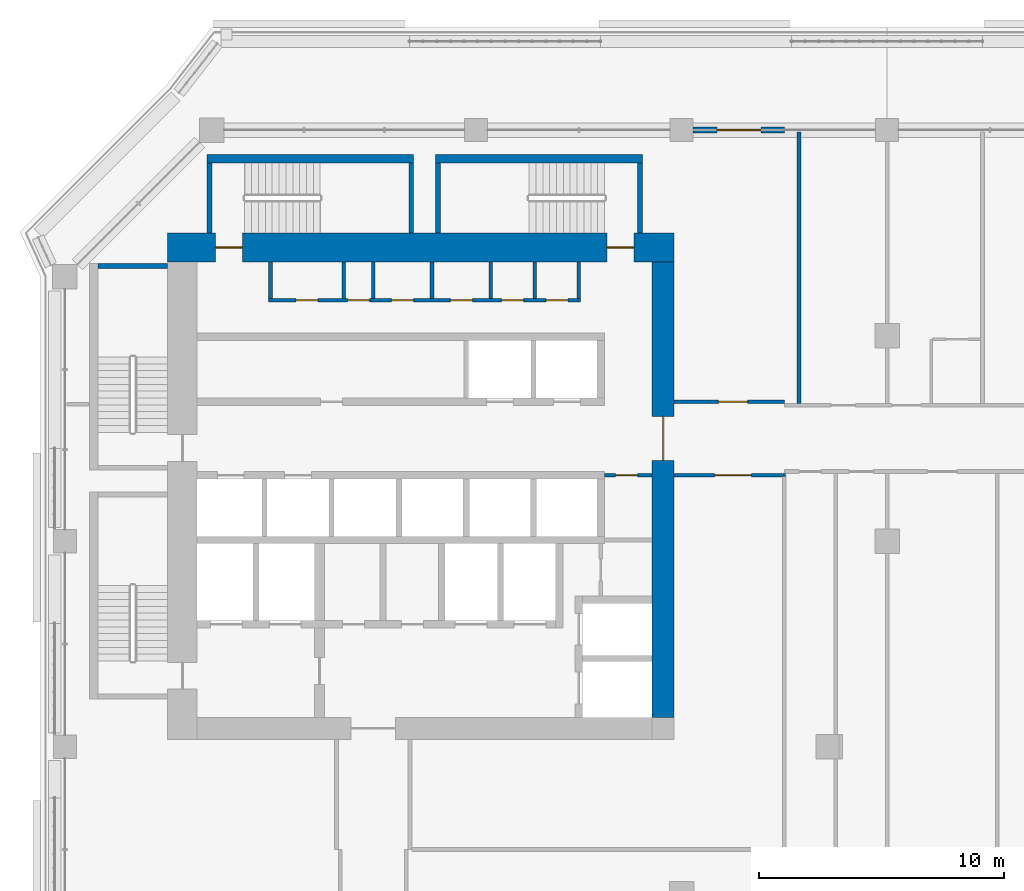
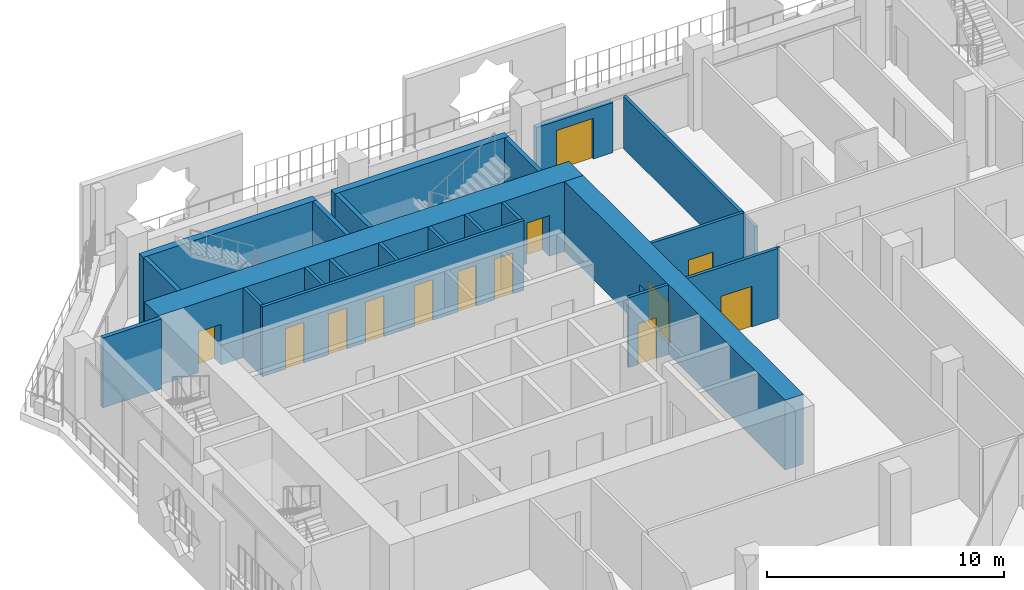
# One storey, part 12 of 22: 23 walls, 13 doors, 13 openings.
"""IFC4 building model written with IfcOpenShell, lengths in metres."""

from ifc_helpers import new_model, si_unit, direction, frame, frame_2d, origin, place, context, subcontext, project, spatial, rectangle, extrude, material, layer, layer_set, type_object, element, fill, save


model = new_model("IFC4")

# Units and contexts
model_context = context("Model", 3, precision=1e-05, world=origin(), true_north=direction((0.0, 1.0)))
body_context = subcontext(model_context, "Body", "Model", "MODEL_VIEW")
ifc_project = project(units=[si_unit("LENGTHUNIT", "METRE"), si_unit("AREAUNIT", "SQUARE_METRE"), si_unit("VOLUMEUNIT", "CUBIC_METRE"), si_unit("PLANEANGLEUNIT", "RADIAN"), si_unit("MASSUNIT", "GRAM", prefix="KILO")], contexts=[model_context])

# Site, building, storey
site_placement = place(None, origin())
site = spatial("IfcSite", under=ifc_project, at=site_placement, CompositionType="ELEMENT")
building_placement = place(site_placement, origin())
building = spatial("IfcBuilding", under=site, at=building_placement, Name="Kawkab Arch Medical Tower", CompositionType="ELEMENT")
storey_placement = place(building_placement, frame((0.0, 0.0, 196.199951171875)))
storey = spatial("IfcBuildingStorey", under=building, at=storey_placement, Name="L45", CompositionType="ELEMENT", Elevation=196.199951171875)

# Wall, openings, doors
ifc_material_1 = material(Name="Concrete C55/67", Category="concrete")
ifc_layer_1 = layer(ifc_material_1, 1.199951171875)
ifc_layer_set_1 = layer_set([ifc_layer_1], Name="Concrete C55/67")
wall_type_1 = type_object("IfcWallType", Name="Core ring wall 1200 C55/67", PredefinedType="SHEAR", material=ifc_layer_set_1)
wall_1_placement = place(storey_placement, frame((4.199951171875, -4.800048828125, 0.0), z_axis=(0.0, 0.0, 1.0), x_axis=(1.0, 0.0, 0.0)))
wall_1 = element("IfcWall", 1, at=wall_1_placement, inside=storey, type_object=wall_type_1, Name="L45 core wall", PredefinedType="SHEAR", context=body_context, shape_type="SweptSolid", body=[
    extrude(rectangle(XDim=20.699951171875, YDim=1.199951171875, at=frame_2d((10.35009765625, 0.0))), origin(), (0.0, 0.0, 1.0), 3.60009765625),
])
opening_1_placement = place(wall_1_placement, frame((1.949951171875, 0.0, 0.0)))
opening_1 = element("IfcOpeningElement", 2, at=opening_1_placement, cuts=wall_1, Name="Opening SD", PredefinedType="OPENING", context=body_context, shape_type="SweptSolid", body=[
    extrude(rectangle(XDim=1.10009765625, YDim=2.10009765625, at=frame_2d((0.550048828125, 1.050048828125))), frame((0.0, 0.60986328125, 0.0), z_axis=(0.0, -1.0, 0.0), x_axis=(1.0, 0.0, 0.0)), (0.0, 0.0, 1.0), 1.219970703125),
])
opening_2_placement = place(wall_1_placement, frame((17.949951171875, 0.0, 0.0)))
opening_2 = element("IfcOpeningElement", 3, at=opening_2_placement, cuts=wall_1, Name="Opening SD", PredefinedType="OPENING", context=body_context, shape_type="SweptSolid", body=[
    extrude(rectangle(XDim=1.10009765625, YDim=2.10009765625, at=frame_2d((0.550048828125, 1.050048828125))), frame((0.0, 0.60986328125, 0.0), z_axis=(0.0, -1.0, 0.0), x_axis=(1.0, 0.0, 0.0)), (0.0, 0.0, 1.0), 1.219970703125),
])
ifc_material_2 = material(Name="Hollow metal fire door leaf")
door_type_1 = type_object("IfcDoorType", Name="Exit stair door 1100", OperationType="SINGLE_SWING_LEFT", PredefinedType="DOOR", material=ifc_material_2)
door_1_placement = place(opening_1_placement, origin())
door_1 = element("IfcDoor", 4, at=door_1_placement, inside=storey, type_object=door_type_1, Name="L45 Exit stair ST3 door", OperationType="SINGLE_SWING_LEFT", OverallHeight=2.10009765625, OverallWidth=1.10009765625, PredefinedType="DOOR", context=body_context, shape_type="SweptSolid", body=[
    extrude(rectangle(XDim=1.10009765625, YDim=2.10009765625, at=frame_2d((0.550048828125, 1.050048828125))), frame((0.0, 0.02490234375, 0.0), z_axis=(0.0, -1.0, 0.0), x_axis=(1.0, 0.0, 0.0)), (0.0, 0.0, 1.0), 0.050048828125),
])
fill(opening_1, door_1)
door_2_placement = place(opening_2_placement, origin())
door_2 = element("IfcDoor", 5, at=door_2_placement, inside=storey, type_object=door_type_1, Name="L45 Exit stair ST4 door", OperationType="SINGLE_SWING_LEFT", OverallHeight=2.10009765625, OverallWidth=1.10009765625, PredefinedType="DOOR", context=body_context, shape_type="SweptSolid", body=[
    extrude(rectangle(XDim=1.10009765625, YDim=2.10009765625, at=frame_2d((0.550048828125, 1.050048828125))), frame((0.0, 0.02490234375, 0.0), z_axis=(0.0, -1.0, 0.0), x_axis=(1.0, 0.0, 0.0)), (0.0, 0.0, 1.0), 0.050048828125),
])
fill(opening_2, door_2)

# Wall, opening, door
ifc_material_3 = material(Name="Concrete C55/67", Category="concrete")
ifc_layer_2 = layer(ifc_material_3, 0.89990234375)
ifc_layer_set_2 = layer_set([ifc_layer_2], Name="Concrete C55/67")
wall_type_2 = type_object("IfcWallType", Name="Core ring wall 900 C55/67", PredefinedType="SHEAR", material=ifc_layer_set_2)
wall_2_placement = place(storey_placement, frame((24.449951171875, -24.0, 0.0), z_axis=(0.0, 0.0, 1.0), x_axis=(0.0, 1.0, 0.0)))
wall_2 = element("IfcWall", 6, at=wall_2_placement, inside=storey, type_object=wall_type_2, Name="L45 core wall", PredefinedType="SHEAR", context=body_context, shape_type="SweptSolid", body=[
    extrude(rectangle(XDim=18.60009765625, YDim=0.89990234375, at=frame_2d((9.300048828125, 0.0))), origin(), (0.0, 0.0, 1.0), 3.60009765625),
])
opening_3_placement = place(wall_2_placement, frame((10.5, 0.0, 0.0)))
opening_3 = element("IfcOpeningElement", 7, at=opening_3_placement, cuts=wall_2, Name="Opening PD", PredefinedType="OPENING", context=body_context, shape_type="SweptSolid", body=[
    extrude(rectangle(XDim=1.800048828125, YDim=2.10009765625, at=frame_2d((0.89990234375, 1.050048828125))), frame((0.0, 0.4599609375, 0.0), z_axis=(0.0, -1.0, 0.0), x_axis=(1.0, 0.0, 0.0)), (0.0, 0.0, 1.0), 0.919921875),
])
ifc_material_4 = material(Name="Hollow metal fire door leaf")
door_type_2 = type_object("IfcDoorType", Name="Core entrance doors 1800", OperationType="DOUBLE_DOOR_SINGLE_SWING", PredefinedType="DOOR", material=ifc_material_4)
door_3_placement = place(opening_3_placement, origin())
door_3 = element("IfcDoor", 8, at=door_3_placement, inside=storey, type_object=door_type_2, Name="L45 East entrance doors", OperationType="DOUBLE_DOOR_SINGLE_SWING", OverallHeight=2.10009765625, OverallWidth=1.800048828125, PredefinedType="DOOR", context=body_context, shape_type="SweptSolid", body=[
    extrude(rectangle(XDim=1.800048828125, YDim=2.10009765625, at=frame_2d((0.89990234375, 1.050048828125))), frame((0.0, 0.02490234375, 0.0), z_axis=(0.0, -1.0, 0.0), x_axis=(1.0, 0.0, 0.0)), (0.0, 0.0, 1.0), 0.050048828125),
])
fill(opening_3, door_3)

ifc_material_5 = material(Name="Gypsum board on steel studs", Category="steel")
ifc_layer_3 = layer(ifc_material_5, 0.14990234375)
ifc_layer_set_3 = layer_set([ifc_layer_3], Name="Gypsum board on steel studs")
wall_type_3 = type_object("IfcWallType", Name="Core room partition 150", PredefinedType="PARTITIONING", material=ifc_layer_set_3)
wall_3_placement = place(storey_placement, frame((22.050048828125, -14.10009765625, 0.0), z_axis=(0.0, 0.0, 1.0), x_axis=(1.0, 0.0, 0.0)))
wall_3 = element("IfcWall", 9, at=wall_3_placement, inside=storey, type_object=wall_type_3, Name="L45 core room partition", PredefinedType="PARTITIONING", context=body_context, shape_type="SweptSolid", body=[
    extrude(rectangle(XDim=1.949951171875, YDim=0.14990234375, at=frame_2d((0.97509765625, 0.0))), origin(), (0.0, 0.0, 1.0), 3.60009765625),
])
opening_4_placement = place(wall_3_placement, frame((0.449951171875, 0.0, 0.0)))
opening_4 = element("IfcOpeningElement", 10, at=opening_4_placement, cuts=wall_3, Name="Opening RD", PredefinedType="OPENING", context=body_context, shape_type="SweptSolid", body=[
    extrude(rectangle(XDim=0.89990234375, YDim=2.10009765625, at=frame_2d((0.449951171875, 1.050048828125))), frame((0.0, 0.0849609375, 0.0), z_axis=(0.0, -1.0, 0.0), x_axis=(1.0, 0.0, 0.0)), (0.0, 0.0, 1.0), 0.169921875),
])
ifc_material_6 = material(Name="Hollow metal fire door leaf")
door_type_3 = type_object("IfcDoorType", Name="Core room door 900", OperationType="SINGLE_SWING_LEFT", PredefinedType="DOOR", material=ifc_material_6)
door_4_placement = place(opening_4_placement, origin())
door_4 = element("IfcDoor", 11, at=door_4_placement, inside=storey, type_object=door_type_3, Name="L45 Equipment store door", OperationType="SINGLE_SWING_LEFT", OverallHeight=2.10009765625, OverallWidth=0.89990234375, PredefinedType="DOOR", context=body_context, shape_type="SweptSolid", body=[
    extrude(rectangle(XDim=0.89990234375, YDim=2.10009765625, at=frame_2d((0.449951171875, 1.050048828125))), frame((0.0, 0.02490234375, 0.0), z_axis=(0.0, -1.0, 0.0), x_axis=(1.0, 0.0, 0.0)), (0.0, 0.0, 1.0), 0.050048828125),
])
fill(opening_4, door_4)

# Wall, openings, doors
wall_4_placement = place(storey_placement, frame((8.324951171875, -6.949951171875, 0.0), z_axis=(0.0, 0.0, 1.0), x_axis=(1.0, 0.0, 0.0)))
wall_4 = element("IfcWall", 12, at=wall_4_placement, inside=storey, type_object=wall_type_3, Name="L45 core room partition", PredefinedType="PARTITIONING", context=body_context, shape_type="SweptSolid", body=[
    extrude(rectangle(XDim=12.75, YDim=0.14990234375, at=frame_2d((6.375, 0.0))), origin(), (0.0, 0.0, 1.0), 3.60009765625),
])
opening_5_placement = place(wall_4_placement, frame((1.125, 0.0, 0.0)))
opening_5 = element("IfcOpeningElement", 13, at=opening_5_placement, cuts=wall_4, Name="Opening RD", PredefinedType="OPENING", context=body_context, shape_type="SweptSolid", body=[
    extrude(rectangle(XDim=0.89990234375, YDim=2.10009765625, at=frame_2d((0.449951171875, 1.050048828125))), frame((0.0, 0.0849609375, 0.0), z_axis=(0.0, -1.0, 0.0), x_axis=(1.0, 0.0, 0.0)), (0.0, 0.0, 1.0), 0.169921875),
])
opening_6_placement = place(wall_4_placement, frame((3.22509765625, 0.0, 0.0)))
opening_6 = element("IfcOpeningElement", 14, at=opening_6_placement, cuts=wall_4, Name="Opening RD", PredefinedType="OPENING", context=body_context, shape_type="SweptSolid", body=[
    extrude(rectangle(XDim=0.89990234375, YDim=2.10009765625, at=frame_2d((0.449951171875, 1.050048828125))), frame((0.0, 0.0849609375, 0.0), z_axis=(0.0, -1.0, 0.0), x_axis=(1.0, 0.0, 0.0)), (0.0, 0.0, 1.0), 0.169921875),
])
opening_7_placement = place(wall_4_placement, frame((5.02490234375, 0.0, 0.0)))
opening_7 = element("IfcOpeningElement", 15, at=opening_7_placement, cuts=wall_4, Name="Opening RD", PredefinedType="OPENING", context=body_context, shape_type="SweptSolid", body=[
    extrude(rectangle(XDim=0.89990234375, YDim=2.10009765625, at=frame_2d((0.449951171875, 1.050048828125))), frame((0.0, 0.0849609375, 0.0), z_axis=(0.0, -1.0, 0.0), x_axis=(1.0, 0.0, 0.0)), (0.0, 0.0, 1.0), 0.169921875),
])
opening_8_placement = place(wall_4_placement, frame((7.425048828125, 0.0, 0.0)))
opening_8 = element("IfcOpeningElement", 16, at=opening_8_placement, cuts=wall_4, Name="Opening RD", PredefinedType="OPENING", context=body_context, shape_type="SweptSolid", body=[
    extrude(rectangle(XDim=0.89990234375, YDim=2.10009765625, at=frame_2d((0.449951171875, 1.050048828125))), frame((0.0, 0.0849609375, 0.0), z_axis=(0.0, -1.0, 0.0), x_axis=(1.0, 0.0, 0.0)), (0.0, 0.0, 1.0), 0.169921875),
])
opening_9_placement = place(wall_4_placement, frame((9.52490234375, 0.0, 0.0)))
opening_9 = element("IfcOpeningElement", 17, at=opening_9_placement, cuts=wall_4, Name="Opening RD", PredefinedType="OPENING", context=body_context, shape_type="SweptSolid", body=[
    extrude(rectangle(XDim=0.89990234375, YDim=2.10009765625, at=frame_2d((0.449951171875, 1.050048828125))), frame((0.0, 0.0849609375, 0.0), z_axis=(0.0, -1.0, 0.0), x_axis=(1.0, 0.0, 0.0)), (0.0, 0.0, 1.0), 0.169921875),
])
opening_10_placement = place(wall_4_placement, frame((11.324951171875, 0.0, 0.0)))
opening_10 = element("IfcOpeningElement", 18, at=opening_10_placement, cuts=wall_4, Name="Opening RD", PredefinedType="OPENING", context=body_context, shape_type="SweptSolid", body=[
    extrude(rectangle(XDim=0.89990234375, YDim=2.10009765625, at=frame_2d((0.449951171875, 1.050048828125))), frame((0.0, 0.0849609375, 0.0), z_axis=(0.0, -1.0, 0.0), x_axis=(1.0, 0.0, 0.0)), (0.0, 0.0, 1.0), 0.169921875),
])
door_5_placement = place(opening_5_placement, origin())
door_5 = element("IfcDoor", 19, at=door_5_placement, inside=storey, type_object=door_type_3, Name="L45 General store door", OperationType="SINGLE_SWING_LEFT", OverallHeight=2.10009765625, OverallWidth=0.89990234375, PredefinedType="DOOR", context=body_context, shape_type="SweptSolid", body=[
    extrude(rectangle(XDim=0.89990234375, YDim=2.10009765625, at=frame_2d((0.449951171875, 1.050048828125))), frame((0.0, 0.02490234375, 0.0), z_axis=(0.0, -1.0, 0.0), x_axis=(1.0, 0.0, 0.0)), (0.0, 0.0, 1.0), 0.050048828125),
])
fill(opening_5, door_5)
door_6_placement = place(opening_6_placement, origin())
door_6 = element("IfcDoor", 20, at=door_6_placement, inside=storey, type_object=door_type_3, Name="L45 Electrical riser room door", OperationType="SINGLE_SWING_LEFT", OverallHeight=2.10009765625, OverallWidth=0.89990234375, PredefinedType="DOOR", context=body_context, shape_type="SweptSolid", body=[
    extrude(rectangle(XDim=0.89990234375, YDim=2.10009765625, at=frame_2d((0.449951171875, 1.050048828125))), frame((0.0, 0.02490234375, 0.0), z_axis=(0.0, -1.0, 0.0), x_axis=(1.0, 0.0, 0.0)), (0.0, 0.0, 1.0), 0.050048828125),
])
fill(opening_6, door_6)
door_7_placement = place(opening_7_placement, origin())
door_7 = element("IfcDoor", 21, at=door_7_placement, inside=storey, type_object=door_type_3, Name="L45 Housekeeping store door", OperationType="SINGLE_SWING_LEFT", OverallHeight=2.10009765625, OverallWidth=0.89990234375, PredefinedType="DOOR", context=body_context, shape_type="SweptSolid", body=[
    extrude(rectangle(XDim=0.89990234375, YDim=2.10009765625, at=frame_2d((0.449951171875, 1.050048828125))), frame((0.0, 0.02490234375, 0.0), z_axis=(0.0, -1.0, 0.0), x_axis=(1.0, 0.0, 0.0)), (0.0, 0.0, 1.0), 0.050048828125),
])
fill(opening_7, door_7)
door_8_placement = place(opening_8_placement, origin())
door_8 = element("IfcDoor", 22, at=door_8_placement, inside=storey, type_object=door_type_3, Name="L45 UPS room door", OperationType="SINGLE_SWING_LEFT", OverallHeight=2.10009765625, OverallWidth=0.89990234375, PredefinedType="DOOR", context=body_context, shape_type="SweptSolid", body=[
    extrude(rectangle(XDim=0.89990234375, YDim=2.10009765625, at=frame_2d((0.449951171875, 1.050048828125))), frame((0.0, 0.02490234375, 0.0), z_axis=(0.0, -1.0, 0.0), x_axis=(1.0, 0.0, 0.0)), (0.0, 0.0, 1.0), 0.050048828125),
])
fill(opening_8, door_8)
door_9_placement = place(opening_9_placement, origin())
door_9 = element("IfcDoor", 23, at=door_9_placement, inside=storey, type_object=door_type_3, Name="L45 Comms room door", OperationType="SINGLE_SWING_LEFT", OverallHeight=2.10009765625, OverallWidth=0.89990234375, PredefinedType="DOOR", context=body_context, shape_type="SweptSolid", body=[
    extrude(rectangle(XDim=0.89990234375, YDim=2.10009765625, at=frame_2d((0.449951171875, 1.050048828125))), frame((0.0, 0.02490234375, 0.0), z_axis=(0.0, -1.0, 0.0), x_axis=(1.0, 0.0, 0.0)), (0.0, 0.0, 1.0), 0.050048828125),
])
fill(opening_9, door_9)
door_10_placement = place(opening_10_placement, origin())
door_10 = element("IfcDoor", 24, at=door_10_placement, inside=storey, type_object=door_type_3, Name="L45 Electrical riser room door", OperationType="SINGLE_SWING_LEFT", OverallHeight=2.10009765625, OverallWidth=0.89990234375, PredefinedType="DOOR", context=body_context, shape_type="SweptSolid", body=[
    extrude(rectangle(XDim=0.89990234375, YDim=2.10009765625, at=frame_2d((0.449951171875, 1.050048828125))), frame((0.0, 0.02490234375, 0.0), z_axis=(0.0, -1.0, 0.0), x_axis=(1.0, 0.0, 0.0)), (0.0, 0.0, 1.0), 0.050048828125),
])
fill(opening_10, door_10)

# Walls
for number, where, z_axis, x_axis, name in (
    (25, (8.39990234375, -6.875, 0.0), (0.0, 0.0, 1.0), (0.0, 1.0, 0.0), "L45 core room partition"),
    (26, (11.39990234375, -6.875, 0.0), (0.0, 0.0, 1.0), (0.0, 1.0, 0.0), "L45 core room partition"),
    (27, (12.60009765625, -6.875, 0.0), (0.0, 0.0, 1.0), (0.0, 1.0, 0.0), "L45 core room partition"),
    (28, (15.0, -6.875, 0.0), (0.0, 0.0, 1.0), (0.0, 1.0, 0.0), "L45 core room partition"),
    (29, (17.39990234375, -6.875, 0.0), (0.0, 0.0, 1.0), (0.0, 1.0, 0.0), "L45 core room partition"),
    (30, (19.199951171875, -6.875, 0.0), (0.0, 0.0, 1.0), (0.0, 1.0, 0.0), "L45 core room partition"),
    (31, (21.0, -6.875, 0.0), (0.0, 0.0, 1.0), (0.0, 1.0, 0.0), "L45 core room partition"),
):
    element("IfcWall", number, at=place(storey_placement, frame(where, z_axis=z_axis, x_axis=x_axis)), inside=storey, type_object=wall_type_3, Name=name, PredefinedType="PARTITIONING", context=body_context, shape_type="SweptSolid", body=[
        extrude(rectangle(XDim=1.47509765625, YDim=0.14990234375, at=frame_2d((0.737548828125, 0.0))), origin(), (0.0, 0.0, 1.0), 3.60009765625),
    ])

# Wall, opening, door
ifc_material_7 = material(Name="Bronze clad insulated wall panel")
ifc_layer_4 = layer(ifc_material_7, 0.25)
ifc_layer_set_4 = layer_set([ifc_layer_4], Name="Bronze clad insulated wall panel")
wall_type_4 = type_object("IfcWallType", Name="External wall bay 250", PredefinedType="SOLIDWALL", material=ifc_layer_set_4)
wall_5_placement = place(storey_placement, frame((29.39990234375, 0.0, 0.0), z_axis=(0.0, 0.0, 1.0), x_axis=(-1.0, 0.0, 0.0)))
wall_5 = element("IfcWall", 32, at=wall_5_placement, inside=storey, type_object=wall_type_4, Name="External wall bay L45.R11.4.2", PredefinedType="SOLIDWALL", context=body_context, shape_type="SweptSolid", body=[
    extrude(rectangle(XDim=3.724853515625, YDim=0.25, at=frame_2d((1.8623046875, 0.0))), origin(), (0.0, 0.0, 1.0), 2.580078125),
])
opening_11_placement = place(wall_5_placement, frame((0.96240234375, 0.0, 0.0)))
opening_11 = element("IfcOpeningElement", 33, at=opening_11_placement, cuts=wall_5, Name="Opening W40-702", PredefinedType="OPENING", context=body_context, shape_type="SweptSolid", body=[
    extrude(rectangle(XDim=1.800048828125, YDim=2.10009765625, at=frame_2d((0.89990234375, 1.050048828125))), frame((0.0, 0.135009765625, 0.0), z_axis=(0.0, -1.0, 0.0), x_axis=(1.0, 0.0, 0.0)), (0.0, 0.0, 1.0), 0.27001953125),
])
ifc_material_8 = material(Name="Bronze anodised aluminium door with tinted glass", Category="aluminium")
door_type_4 = type_object("IfcDoorType", Name="Double external door 1800 x 2100", OperationType="DOUBLE_DOOR_SINGLE_SWING", PredefinedType="DOOR", material=ifc_material_8)
door_11_placement = place(opening_11_placement, origin())
door_11 = element("IfcDoor", 34, at=door_11_placement, inside=storey, type_object=door_type_4, Name="External door L45.R11.4.2", OperationType="DOUBLE_DOOR_SINGLE_SWING", OverallHeight=2.10009765625, OverallWidth=1.800048828125, PredefinedType="DOOR", context=body_context, shape_type="SweptSolid", body=[
    extrude(rectangle(XDim=1.800048828125, YDim=2.10009765625, at=frame_2d((0.89990234375, 1.050048828125))), frame((0.0, 0.02490234375, 0.0), z_axis=(0.0, -1.0, 0.0), x_axis=(1.0, 0.0, 0.0)), (0.0, 0.0, 1.0), 0.050048828125),
])
fill(opening_11, door_11)

# Wall
ifc_material_9 = material(Name="Gypsum board partition on steel studs", Category="steel")
ifc_layer_5 = layer(ifc_material_9, 0.10009765625)
ifc_layer_set_5 = layer_set([ifc_layer_5], Name="Gypsum board partition on steel studs")
wall_type_5 = type_object("IfcWallType", Name="Partition 100", PredefinedType="PARTITIONING", material=ifc_layer_set_5)
wall_6_placement = place(storey_placement, frame((29.39990234375, -14.14697265625, 0.0), z_axis=(0.0, 0.0, 1.0), x_axis=(0.0, 1.0, 0.0)))
element("IfcWall", 35, at=wall_6_placement, inside=storey, type_object=wall_type_5, Name="Partition 100 w009", PredefinedType="PARTITIONING", context=body_context, shape_type="SweptSolid", body=[
    extrude(rectangle(XDim=0.119873046875, YDim=0.10009765625, at=frame_2d((0.06005859375, 0.0))), origin(), (0.0, 0.0, 1.0), 3.60009765625),
])

# Wall, opening, door
ifc_material_10 = material(Name="Gypsum board partition on steel studs, mineral wool", Category="steel")
ifc_layer_6 = layer(ifc_material_10, 0.14990234375)
ifc_layer_set_6 = layer_set([ifc_layer_6], Name="Gypsum board partition on steel studs, mineral wool")
wall_type_6 = type_object("IfcWallType", Name="Partition 150", PredefinedType="PARTITIONING", material=ifc_layer_set_6)
wall_7_placement = place(storey_placement, frame((24.89990234375, -14.10009765625, 0.0), z_axis=(0.0, 0.0, 1.0), x_axis=(1.0, 0.0, 0.0)))
wall_7 = element("IfcWall", 36, at=wall_7_placement, inside=storey, type_object=wall_type_6, Name="Partition 150 w027", PredefinedType="PARTITIONING", context=body_context, shape_type="SweptSolid", body=[
    extrude(rectangle(XDim=4.425048828125, YDim=0.14990234375, at=frame_2d((2.21240234375, 0.0))), origin(), (0.0, 0.0, 1.0), 3.60009765625),
])
opening_12_placement = place(wall_7_placement, frame((1.64990234375, 0.0, 0.0)))
opening_12 = element("IfcOpeningElement", 37, at=opening_12_placement, cuts=wall_7, Name="Opening W40-001", PredefinedType="OPENING", context=body_context, shape_type="SweptSolid", body=[
    extrude(rectangle(XDim=1.5, YDim=2.10009765625, at=frame_2d((0.75, 1.050048828125))), frame((0.0, 0.0849609375, 0.0), z_axis=(0.0, -1.0, 0.0), x_axis=(1.0, 0.0, 0.0)), (0.0, 0.0, 1.0), 0.169921875),
])
ifc_material_11 = material(Name="Hollow metal door leaf")
door_type_5 = type_object("IfcDoorType", Name="Double door 1500x2100 FD30S", OperationType="NOTDEFINED", PredefinedType="DOOR", material=ifc_material_11)
door_12_placement = place(opening_12_placement, origin())
door_12 = element("IfcDoor", 38, at=door_12_placement, inside=storey, type_object=door_type_5, Name="Door W40-001", OperationType="DOUBLE_DOOR_SINGLE_SWING", OverallHeight=2.10009765625, OverallWidth=1.5, PredefinedType="DOOR", context=body_context, shape_type="SweptSolid", body=[
    extrude(rectangle(XDim=1.5, YDim=2.10009765625, at=frame_2d((0.75, 1.050048828125))), frame((0.0, 0.02490234375, 0.0), z_axis=(0.0, -1.0, 0.0), x_axis=(1.0, 0.0, 0.0)), (0.0, 0.0, 1.0), 0.050048828125),
])
fill(opening_12, door_12)

wall_8_placement = place(storey_placement, frame((24.89990234375, -11.10009765625, 0.0), z_axis=(0.0, 0.0, 1.0), x_axis=(1.0, 0.0, 0.0)))
wall_8 = element("IfcWall", 39, at=wall_8_placement, inside=storey, type_object=wall_type_6, Name="Partition 150 w033", PredefinedType="PARTITIONING", context=body_context, shape_type="SweptSolid", body=[
    extrude(rectangle(XDim=4.498046875, YDim=0.14990234375, at=frame_2d((2.2490234375, 0.0))), origin(), (0.0, 0.0, 1.0), 3.60009765625),
])
opening_13_placement = place(wall_8_placement, frame((1.799072265625, 0.0, 0.0)))
opening_13 = element("IfcOpeningElement", 40, at=opening_13_placement, cuts=wall_8, Name="Opening W40-028", PredefinedType="OPENING", context=body_context, shape_type="SweptSolid", body=[
    extrude(rectangle(XDim=1.199951171875, YDim=2.10009765625, at=frame_2d((0.60009765625, 1.050048828125))), frame((0.0, 0.0849609375, 0.0), z_axis=(0.0, -1.0, 0.0), x_axis=(1.0, 0.0, 0.0)), (0.0, 0.0, 1.0), 0.169921875),
])
ifc_material_12 = material(Name="Hollow metal door leaf")
door_type_6 = type_object("IfcDoorType", Name="Single door 1200x2100 FD30S", OperationType="NOTDEFINED", PredefinedType="DOOR", material=ifc_material_12)
door_13_placement = place(opening_13_placement, origin())
door_13 = element("IfcDoor", 41, at=door_13_placement, inside=storey, type_object=door_type_6, Name="Door W40-028", OperationType="SINGLE_SWING_RIGHT", OverallHeight=2.10009765625, OverallWidth=1.199951171875, PredefinedType="DOOR", context=body_context, shape_type="SweptSolid", body=[
    extrude(rectangle(XDim=1.199951171875, YDim=2.10009765625, at=frame_2d((0.60009765625, 1.050048828125))), frame((0.0, 0.02490234375, 0.0), z_axis=(0.0, -1.0, 0.0), x_axis=(1.0, 0.0, 0.0)), (0.0, 0.0, 1.0), 0.050048828125),
])
fill(opening_13, door_13)

# Walls
wall_9_placement = place(storey_placement, frame((30.0, -11.175048828125, 0.0), z_axis=(0.0, 0.0, 1.0), x_axis=(0.0, 1.0, 0.0)))
element("IfcWall", 42, at=wall_9_placement, inside=storey, type_object=wall_type_6, Name="Partition 150 w046", PredefinedType="PARTITIONING", context=body_context, shape_type="SweptSolid", body=[
    extrude(rectangle(XDim=11.094970703125, YDim=0.14990234375, at=frame_2d((5.54736328125, 0.0))), origin(), (0.0, 0.0, 1.0), 2.699951171875),
])
ifc_material_13 = material(Name="Concrete C50/60", Category="concrete")
ifc_layer_7 = layer(ifc_material_13, 0.199951171875)
ifc_layer_set_7 = layer_set([ifc_layer_7], Name="Concrete C50/60")
wall_type_7 = type_object("IfcWallType", Name="Stair enclosure wall 200 C50/60", PredefinedType="SHEAR", material=ifc_layer_set_7)
for number, where, z_axis, x_axis, name in (
    (43, (1.35009765625, -5.550048828125, 0.0), (0.0, 0.0, 1.0), (1.0, 0.0, 0.0), "L45 stair enclosure wall"),
    (44, (5.89990234375, -4.199951171875, 0.0), (0.0, 0.0, 1.0), (0.0, 1.0, 0.0), "L45 stair enclosure wall"),
    (45, (14.14990234375, -4.199951171875, 0.0), (0.0, 0.0, 1.0), (0.0, 1.0, 0.0), "L45 stair enclosure wall"),
    (46, (15.25, -4.199951171875, 0.0), (0.0, 0.0, 1.0), (0.0, 1.0, 0.0), "L45 stair enclosure wall"),
    (47, (23.5, -4.199951171875, 0.0), (0.0, 0.0, 1.0), (0.0, 1.0, 0.0), "L45 stair enclosure wall"),
):
    element("IfcWall", number, at=place(storey_placement, frame(where, z_axis=z_axis, x_axis=x_axis)), inside=storey, type_object=wall_type_7, Name=name, PredefinedType="SHEAR", context=body_context, shape_type="SweptSolid", body=[
        extrude(rectangle(XDim=2.849853515625, YDim=0.199951171875, at=frame_2d((1.4248046875, 0.0))), origin(), (0.0, 0.0, 1.0), 3.60009765625),
    ])
ifc_material_14 = material(Name="Concrete C50/60", Category="concrete")
ifc_layer_8 = layer(ifc_material_14, 0.35009765625)
ifc_layer_set_8 = layer_set([ifc_layer_8], Name="Concrete C50/60")
wall_type_8 = type_object("IfcWallType", Name="Stair enclosure wall 350 C50/60", PredefinedType="SHEAR", material=ifc_layer_set_8)
wall_10_placement = place(storey_placement, frame((5.800048828125, -1.175048828125, 0.0), z_axis=(0.0, 0.0, 1.0), x_axis=(1.0, 0.0, 0.0)))
element("IfcWall", 48, at=wall_10_placement, inside=storey, type_object=wall_type_8, Name="L45 stair enclosure wall", PredefinedType="SHEAR", context=body_context, shape_type="SweptSolid", body=[
    extrude(rectangle(XDim=8.449951171875, YDim=0.35009765625, at=frame_2d((4.22509765625, 0.0))), origin(), (0.0, 0.0, 1.0), 3.60009765625),
])
wall_11_placement = place(storey_placement, frame((15.14990234375, -1.175048828125, 0.0), z_axis=(0.0, 0.0, 1.0), x_axis=(1.0, 0.0, 0.0)))
element("IfcWall", 49, at=wall_11_placement, inside=storey, type_object=wall_type_8, Name="L45 stair enclosure wall", PredefinedType="SHEAR", context=body_context, shape_type="SweptSolid", body=[
    extrude(rectangle(XDim=8.4501953125, YDim=0.35009765625, at=frame_2d((4.22509765625, 0.0))), origin(), (0.0, 0.0, 1.0), 3.60009765625),
])

save(model, "model.ifc")
